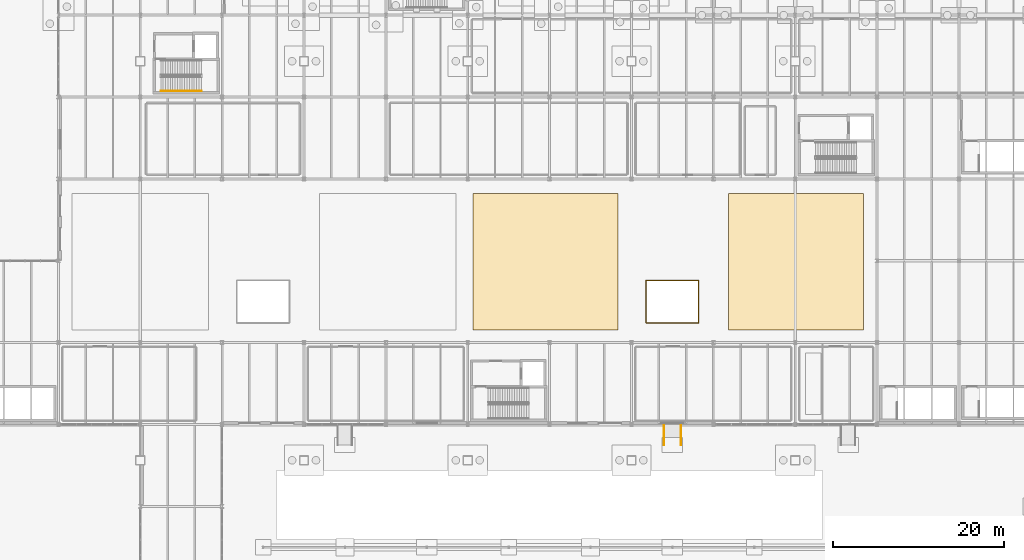
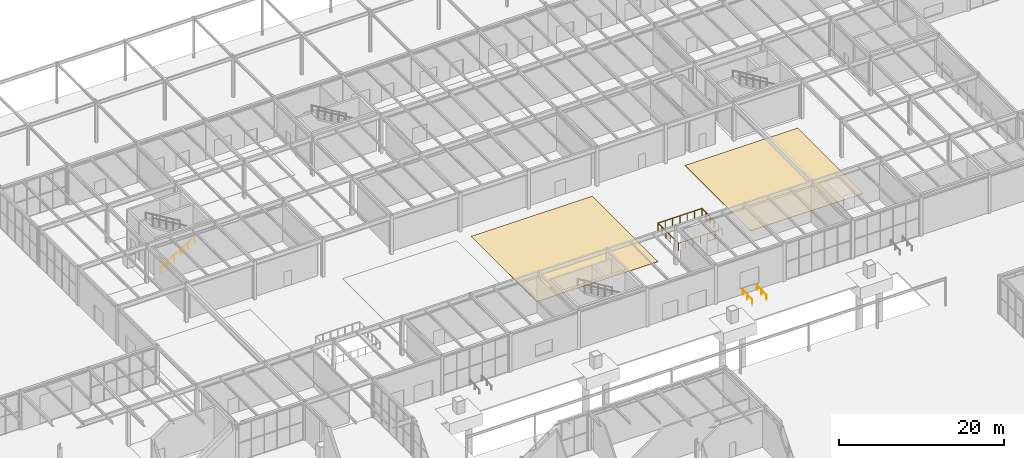
# One storey, part 134 of 142: 4 railings, 2 coverings.
"""IFC4 building model written with IfcOpenShell, lengths in metres."""

from ifc_helpers import new_model, si_unit, direction, frame, origin, origin_2d, place, context, subcontext, project, spatial, polyline, circle, outline, extrude, material, layer, layer_set, type_object, element, save


model = new_model("IFC4")

# Units and contexts
model_context = context("Model", 3, precision=1e-05, world=origin(), true_north=direction((0.0, 1.0)))
body_context = subcontext(model_context, "Body", "Model", "MODEL_VIEW")
ifc_project = project(units=[si_unit("LENGTHUNIT", "METRE"), si_unit("AREAUNIT", "SQUARE_METRE"), si_unit("VOLUMEUNIT", "CUBIC_METRE"), si_unit("PLANEANGLEUNIT", "RADIAN"), si_unit("MASSUNIT", "GRAM", prefix="KILO")], contexts=[model_context])

# Site, building, storey
site_placement = place(None, origin())
site = spatial("IfcSite", under=ifc_project, at=site_placement, CompositionType="ELEMENT")
building_placement = place(site_placement, origin())
building = spatial("IfcBuilding", under=site, at=building_placement, Name="Coralgate Yard Interchange", CompositionType="ELEMENT")
storey_placement = place(building_placement, origin())
storey = spatial("IfcBuildingStorey", under=building, at=storey_placement, Name="L00", CompositionType="ELEMENT", Elevation=0.0)

# Coverings
ifc_material_1 = material(Name="Honed Mombasa coral-aggregate epoxy terrazzo flooring")
ifc_layer_1 = layer(ifc_material_1, 0.030029296875)
ifc_layer_set_1 = layer_set([ifc_layer_1], Name="Honed Mombasa coral-aggregate epoxy terrazzo flooring")
covering_type_1 = type_object("IfcCoveringType", Name="COV-FLR1", PredefinedType="FLOORING", material=ifc_layer_set_1)
covering_1_placement = place(storey_placement, origin())
element("IfcCovering", 1, at=covering_1_placement, inside=storey, type_object=covering_type_1, Name="L00 concourse terrazzo paving zone 3", PredefinedType="FLOORING", context=body_context, shape_type="SweptSolid", body=[
    extrude(outline(polyline([(87.0, 49.5), (104.0, 49.5), (104.0, 65.5), (87.0, 65.5), (87.0, 49.5)])), origin(), (0.0, 0.0, 1.0), 0.030029296875),
])
ifc_material_2 = material(Name="Heavy-duty slip-resistant granite concourse paving", Category="masonry")
ifc_layer_2 = layer(ifc_material_2, 0.050048828125)
ifc_layer_set_2 = layer_set([ifc_layer_2], Name="Heavy-duty slip-resistant granite concourse paving")
covering_type_2 = type_object("IfcCoveringType", Name="COV-FLR2", PredefinedType="FLOORING", material=ifc_layer_set_2)
covering_2_placement = place(storey_placement, origin())
element("IfcCovering", 2, at=covering_2_placement, inside=storey, type_object=covering_type_2, Name="L00 concourse terrazzo paving zone 4", PredefinedType="FLOORING", context=body_context, shape_type="SweptSolid", body=[
    extrude(outline(polyline([(117.0, 49.5), (132.800048828125, 49.5), (132.800048828125, 65.5), (117.0, 65.5), (117.0, 49.5)])), origin(), (0.0, 0.0, 1.0), 0.050048828125),
])

# Railings
ifc_material_3 = material(Name="Grade 316 marine stainless steel and toughened glass balustrade", Category="steel")
railing_type_1 = type_object("IfcRailingType", Name="RLG-GD1100", PredefinedType="BALUSTRADE", material=ifc_material_3)
railing_1_placement = place(storey_placement, frame((107.320068359375, 50.320068359375, 0.0)))
element("IfcRailing", 3, at=railing_1_placement, inside=storey, type_object=railing_type_1, Name="L00 metro lightwell crowd balustrade 2", PredefinedType="BALUSTRADE", context=body_context, shape_type="SweptSolid", body=[
    extrude(circle(Radius=0.02392578125, at=origin_2d()), frame((0.00048828125, 0.0, 1.0810546875), z_axis=(1.0, 0.0, 0.0), x_axis=(0.0, 1.0, 0.0)), (0.0, 0.0, 1.0), 6.158935546875),
    extrude(circle(Radius=0.02392578125, at=origin_2d()), frame((6.159912109375, 0.00048828125, 1.0810546875), z_axis=(0.0, 1.0, 0.0), x_axis=(-1.0, 0.0, 0.0)), (0.0, 0.0, 1.0), 4.958984375),
    extrude(circle(Radius=0.02392578125, at=origin_2d()), frame((6.159423828125, 4.9599609375, 1.0810546875), z_axis=(-1.0, 0.0, 0.0), x_axis=(0.0, -1.0, 0.0)), (0.0, 0.0, 1.0), 6.158935546875),
    extrude(circle(Radius=0.02392578125, at=origin_2d()), frame((0.0, 4.95947265625, 1.0810546875), z_axis=(0.0, -1.0, 0.0), x_axis=(1.0, 0.0, 0.0)), (0.0, 0.0, 1.0), 4.958984375),
    extrude(circle(Radius=0.02099609375, at=origin_2d()), origin(), (0.0, 0.0, 1.0), 1.056396484375),
    extrude(circle(Radius=0.02099609375, at=origin_2d()), frame((1.026611328125, 0.0, 0.0)), (0.0, 0.0, 1.0), 1.056396484375),
    extrude(circle(Radius=0.02099609375, at=origin_2d()), frame((2.05322265625, 0.0, 0.0)), (0.0, 0.0, 1.0), 1.056396484375),
    extrude(circle(Radius=0.02099609375, at=origin_2d()), frame((3.080078125, 0.0, 0.0)), (0.0, 0.0, 1.0), 1.056396484375),
    extrude(circle(Radius=0.02099609375, at=origin_2d()), frame((4.106689453125, 0.0, 0.0)), (0.0, 0.0, 1.0), 1.056396484375),
    extrude(circle(Radius=0.02099609375, at=origin_2d()), frame((5.13330078125, 0.0, 0.0)), (0.0, 0.0, 1.0), 1.056396484375),
    extrude(circle(Radius=0.02099609375, at=origin_2d()), frame((6.159912109375, 0.0, 0.0)), (0.0, 0.0, 1.0), 1.056396484375),
    extrude(circle(Radius=0.02099609375, at=origin_2d()), frame((6.159912109375, 0.991943359375, 0.0)), (0.0, 0.0, 1.0), 1.056396484375),
    extrude(circle(Radius=0.02099609375, at=origin_2d()), frame((6.159912109375, 1.98388671875, 0.0)), (0.0, 0.0, 1.0), 1.056396484375),
    extrude(circle(Radius=0.02099609375, at=origin_2d()), frame((6.159912109375, 2.97607421875, 0.0)), (0.0, 0.0, 1.0), 1.056396484375),
    extrude(circle(Radius=0.02099609375, at=origin_2d()), frame((6.159912109375, 3.968017578125, 0.0)), (0.0, 0.0, 1.0), 1.056396484375),
    extrude(circle(Radius=0.02099609375, at=origin_2d()), frame((6.159912109375, 4.9599609375, 0.0)), (0.0, 0.0, 1.0), 1.056396484375),
    extrude(circle(Radius=0.02099609375, at=origin_2d()), frame((5.13330078125, 4.9599609375, 0.0)), (0.0, 0.0, 1.0), 1.056396484375),
    extrude(circle(Radius=0.02099609375, at=origin_2d()), frame((4.106689453125, 4.9599609375, 0.0)), (0.0, 0.0, 1.0), 1.056396484375),
    extrude(circle(Radius=0.02099609375, at=origin_2d()), frame((3.080078125, 4.9599609375, 0.0)), (0.0, 0.0, 1.0), 1.056396484375),
    extrude(circle(Radius=0.02099609375, at=origin_2d()), frame((2.05322265625, 4.9599609375, 0.0)), (0.0, 0.0, 1.0), 1.056396484375),
    extrude(circle(Radius=0.02099609375, at=origin_2d()), frame((1.026611328125, 4.9599609375, 0.0)), (0.0, 0.0, 1.0), 1.056396484375),
    extrude(circle(Radius=0.02099609375, at=origin_2d()), frame((0.0, 4.9599609375, 0.0)), (0.0, 0.0, 1.0), 1.056396484375),
    extrude(circle(Radius=0.02099609375, at=origin_2d()), frame((0.0, 3.968017578125, 0.0)), (0.0, 0.0, 1.0), 1.056396484375),
    extrude(circle(Radius=0.02099609375, at=origin_2d()), frame((0.0, 2.97607421875, 0.0)), (0.0, 0.0, 1.0), 1.056396484375),
    extrude(circle(Radius=0.02099609375, at=origin_2d()), frame((0.0, 1.98388671875, 0.0)), (0.0, 0.0, 1.0), 1.056396484375),
    extrude(circle(Radius=0.02099609375, at=origin_2d()), frame((0.0, 0.991943359375, 0.0)), (0.0, 0.0, 1.0), 1.056396484375),
])
ifc_material_4 = material(Name="Grade 316 marine stainless steel", Category="steel")
railing_type_2 = type_object("IfcRailingType", Name="RLG-HR900", PredefinedType="HANDRAIL", material=ifc_material_4)
railing_2_placement = place(storey_placement, frame((50.39990234375, 77.5, 0.166748046875)))
element("IfcRailing", 4, at=railing_2_placement, inside=storey, type_object=railing_type_2, Name="L00 ST-05 stair handrail 1", PredefinedType="HANDRAIL", context=body_context, shape_type="SweptSolid", body=[
    extrude(circle(Radius=0.02392578125, at=origin_2d()), frame((0.0, 0.0, 0.8759765625), z_axis=(0.859299802514, 0.0, 0.511472237174), x_axis=(0.0, 1.0, 0.0)), (0.0, 0.0, 1.0), 5.539306640625),
    extrude(circle(Radius=0.02099609375, at=origin_2d()), origin(), (0.0, 0.0, 1.0), 0.851318359375),
    extrude(circle(Radius=0.02099609375, at=origin_2d()), frame((0.951904296875, 0.0, 0.566650390625)), (0.0, 0.0, 1.0), 0.851318359375),
    extrude(circle(Radius=0.02099609375, at=origin_2d()), frame((1.904052734375, 0.0, 1.13330078125)), (0.0, 0.0, 1.0), 0.851318359375),
    extrude(circle(Radius=0.02099609375, at=origin_2d()), frame((2.85595703125, 0.0, 1.699951171875)), (0.0, 0.0, 1.0), 0.851318359375),
    extrude(circle(Radius=0.02099609375, at=origin_2d()), frame((3.80810546875, 0.0, 2.2666015625)), (0.0, 0.0, 1.0), 0.851318359375),
    extrude(circle(Radius=0.02099609375, at=origin_2d()), frame((4.760009765625, 0.0, 2.833251953125)), (0.0, 0.0, 1.0), 0.851318359375),
])
for number, where, name in (
    (5, (109.409912109375, 36.0, -0.179931640625), "South courtyard central accessible ramp handrail L"),
    (6, (111.389892578125, 36.0, -0.179931640625), "South courtyard central accessible ramp handrail R"),
):
    element("IfcRailing", number, at=place(storey_placement, frame(where)), inside=storey, type_object=railing_type_2, Name=name, PredefinedType="HANDRAIL", context=body_context, shape_type="SweptSolid", body=[
        extrude(circle(Radius=0.02392578125, at=origin_2d()), frame((0.0, 0.0, 0.8759765625), z_axis=(0.0, 0.997202693388, 0.07474482122), x_axis=(-1.0, 0.0, 0.0)), (0.0, 0.0, 1.0), 2.286376953125),
        extrude(circle(Radius=0.02099609375, at=origin_2d()), origin(), (0.0, 0.0, 1.0), 0.851318359375),
        extrude(circle(Radius=0.02099609375, at=origin_2d()), frame((0.0, 1.14013671875, 0.08544921875)), (0.0, 0.0, 1.0), 0.851318359375),
        extrude(circle(Radius=0.02099609375, at=origin_2d()), frame((0.0, 2.280029296875, 0.1708984375)), (0.0, 0.0, 1.0), 0.851318359375),
    ])

save(model, "model.ifc")
